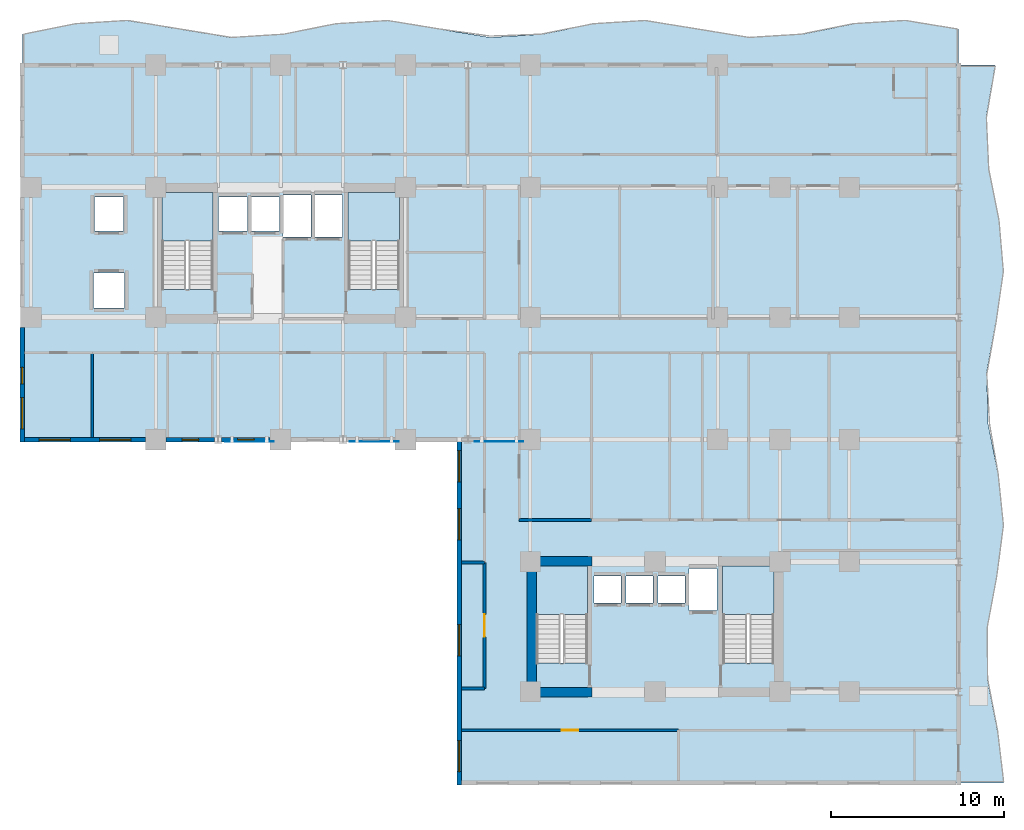
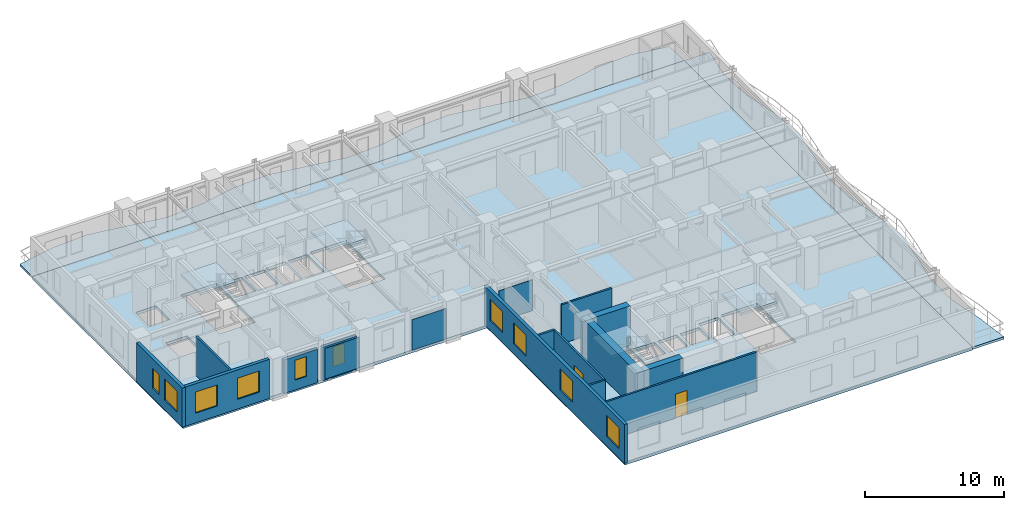
# One storey, part 2 of 11: 14 walls, 10 windows, 7 slabs, 3 plates, 2 doors, 12 openings, 4 elements without a shape of their own.
"""IFC4 building model written with IfcOpenShell, lengths in metres."""

from ifc_helpers import new_model, si_unit, direction, frame, frame_2d, origin, origin_2d, place, context, subcontext, project, spatial, polyline, rectangle, outline, extrude, source, transform, mapped, material, layer, layer_set, type_object, element, fill, aggregate, save


model = new_model("IFC4")

# Units and contexts
model_context = context("Model", 3, precision=1e-05, world=origin(), true_north=direction((0.0, 1.0)))
body_context = subcontext(model_context, "Body", "Model", "MODEL_VIEW")
ifc_project = project(units=[si_unit("LENGTHUNIT", "METRE"), si_unit("AREAUNIT", "SQUARE_METRE"), si_unit("VOLUMEUNIT", "CUBIC_METRE"), si_unit("PLANEANGLEUNIT", "RADIAN"), si_unit("MASSUNIT", "GRAM", prefix="KILO")], contexts=[model_context])

# Site, building, storey
site_placement = place(None, origin())
site = spatial("IfcSite", under=ifc_project, at=site_placement, CompositionType="ELEMENT")
building_placement = place(site_placement, origin())
building = spatial("IfcBuilding", under=site, at=building_placement, Name="Kaliganga Portal Commons", CompositionType="ELEMENT")
storey_placement = place(building_placement, frame((0.0, 0.0, 89.699951171875)))
storey = spatial("IfcBuildingStorey", under=building, at=storey_placement, Name="L22", CompositionType="ELEMENT", Elevation=89.699951171875)

# Slabs
ifc_material_1 = material(Name="Concrete C40/50", Category="concrete")
ifc_layer_1 = layer(ifc_material_1, 0.2099609375)
ifc_layer_set_1 = layer_set([ifc_layer_1], Name="Concrete C40/50")
slab_type_1 = type_object("IfcSlabType", Name="SLB-BALC-210", PredefinedType="FLOOR", material=ifc_layer_set_1)
slab_1_placement = place(storey_placement, frame((0.0, 0.0, -0.2099609375)))
element("IfcSlab", 1, at=slab_1_placement, inside=storey, type_object=slab_type_1, Name="Scalloped Tree-Planter Balcony Slab L22 balc_north", PredefinedType="FLOOR", context=body_context, shape_type="SweptSolid", body=[
    extrude(outline(polyline([(60.699951171875, 43.199951171875), (60.699951171875, 45.282470703125), (57.699951171875, 45.774658203125), (54.699951171875, 45.586669921875), (51.699951171875, 44.97802734375), (48.699951171875, 44.7900390625), (45.699951171875, 45.282470703125), (42.699951171875, 45.774658203125), (39.699951171875, 45.586669921875), (36.699951171875, 44.97802734375), (33.699951171875, 44.7900390625), (30.699951171875, 45.282470703125), (27.699951171875, 45.774658203125), (24.699951171875, 45.586669921875), (21.699951171875, 44.97802734375), (18.699951171875, 44.7900390625), (15.699951171875, 45.282470703125), (12.699951171875, 45.774658203125), (9.699951171875, 45.586669921875), (6.699951171875, 44.97802734375), (6.699951171875, 43.199951171875), (60.699951171875, 43.199951171875)])), origin(), (0.0, 0.0, 1.0), 0.2099609375),
])
slab_2_placement = place(storey_placement, frame((0.0, 0.0, -0.2099609375)))
element("IfcSlab", 2, at=slab_2_placement, inside=storey, type_object=slab_type_1, Name="Scalloped Tree-Planter Balcony Slab L22 balc_east", PredefinedType="FLOOR", context=body_context, shape_type="SweptSolid", body=[
    extrude(outline(polyline([(60.699951171875, 1.800048828125), (63.300048828125, 1.800048828125), (62.951171875, 4.757080078125), (62.374755859375, 7.71435546875), (62.347900390625, 10.67138671875), (62.906494140625, 13.628662109375), (63.2978515625, 16.585693359375), (62.994384765625, 19.54296875), (62.405029296875, 22.5), (62.32421875, 25.45703125), (62.861083984375, 28.414306640625), (63.291748046875, 31.371337890625), (63.035888671875, 34.32861328125), (62.438232421875, 37.28564453125), (62.304443359375, 40.242919921875), (62.81494140625, 43.199951171875), (60.699951171875, 43.199951171875), (60.699951171875, 1.800048828125)])), origin(), (0.0, 0.0, 1.0), 0.2099609375),
])

# Stair, slab
stair_type = type_object("IfcStairType", Name="ST-CORE-DOGLEG", PredefinedType="HALF_TURN_STAIR", material=ifc_material_1)
stair_1_placement = place(storey_placement, origin())
stair_1 = element("IfcStair", 3, at=stair_1_placement, inside=storey, type_object=stair_type, Name="L22 Protected Exit Stair ST-A1", PredefinedType="HALF_TURN_STAIR")
ifc_layer_2 = layer(ifc_material_1, 0.199951171875)
ifc_layer_set_2 = layer_set([ifc_layer_2], Name="Concrete C40/50")
slab_type_2 = type_object("IfcSlabType", Name="SLB-STAIR-LND", PredefinedType="LANDING", material=ifc_layer_set_2)
slab_3_placement = place(storey_placement, frame((0.0, 0.0, 1.650146484375)))
slab_3 = element("IfcSlab", 4, at=slab_3_placement, type_object=slab_type_2, Name="ST-A1 landing 1", PredefinedType="LANDING", context=body_context, shape_type="SweptSolid", body=[
    extrude(outline(polyline([(17.699951171875, 33.050048828125), (17.699951171875, 35.85009765625), (14.75, 35.85009765625), (14.75, 33.050048828125), (17.699951171875, 33.050048828125)])), origin(), (0.0, 0.0, 1.0), 0.199951171875),
])
aggregate(stair_1, [slab_3])

stair_2_placement = place(storey_placement, origin())
stair_2 = element("IfcStair", 5, at=stair_2_placement, inside=storey, type_object=stair_type, Name="L22 Protected Exit Stair ST-A2", PredefinedType="HALF_TURN_STAIR")
slab_4_placement = place(storey_placement, frame((0.0, 0.0, 1.650146484375)))
slab_4 = element("IfcSlab", 6, at=slab_4_placement, type_object=slab_type_2, Name="ST-A2 landing 1", PredefinedType="LANDING", context=body_context, shape_type="SweptSolid", body=[
    extrude(outline(polyline([(28.449951171875, 33.050048828125), (28.449951171875, 35.85009765625), (25.5, 35.85009765625), (25.5, 33.050048828125), (28.449951171875, 33.050048828125)])), origin(), (0.0, 0.0, 1.0), 0.199951171875),
])
aggregate(stair_2, [slab_4])

stair_3_placement = place(storey_placement, origin())
stair_3 = element("IfcStair", 7, at=stair_3_placement, inside=storey, type_object=stair_type, Name="L22 Protected Exit Stair ST-B1", PredefinedType="HALF_TURN_STAIR")
slab_5_placement = place(storey_placement, frame((0.0, 0.0, 1.650146484375)))
slab_5 = element("IfcSlab", 8, at=slab_5_placement, type_object=slab_type_2, Name="ST-B1 landing 1", PredefinedType="LANDING", context=body_context, shape_type="SweptSolid", body=[
    extrude(outline(polyline([(39.300048828125, 11.5), (39.300048828125, 14.300048828125), (36.35009765625, 14.300048828125), (36.35009765625, 11.5), (39.300048828125, 11.5)])), origin(), (0.0, 0.0, 1.0), 0.199951171875),
])
aggregate(stair_3, [slab_5])

stair_4_placement = place(storey_placement, origin())
stair_4 = element("IfcStair", 9, at=stair_4_placement, inside=storey, type_object=stair_type, Name="L22 Protected Exit Stair ST-B2", PredefinedType="HALF_TURN_STAIR")
slab_6_placement = place(storey_placement, frame((0.0, 0.0, 1.650146484375)))
slab_6 = element("IfcSlab", 10, at=slab_6_placement, type_object=slab_type_2, Name="ST-B2 landing 1", PredefinedType="LANDING", context=body_context, shape_type="SweptSolid", body=[
    extrude(outline(polyline([(50.050048828125, 11.5), (50.050048828125, 14.300048828125), (47.10009765625, 14.300048828125), (47.10009765625, 11.5), (50.050048828125, 11.5)])), origin(), (0.0, 0.0, 1.0), 0.199951171875),
])
aggregate(stair_4, [slab_6])

# Slab
ifc_layer_3 = layer(ifc_material_1, 0.25)
ifc_layer_set_3 = layer_set([ifc_layer_3], Name="Concrete C40/50")
slab_type_3 = type_object("IfcSlabType", Name="SLB-TWR-250", PredefinedType="FLOOR", material=ifc_layer_set_3)
slab_7_placement = place(storey_placement, frame((0.0, 0.0, -0.25)))
element("IfcSlab", 11, at=slab_7_placement, inside=storey, type_object=slab_type_3, Name="Structural Floor Slab L22", PredefinedType="FLOOR", context=body_context, shape_type="SweptSolid", body=[
    extrude(outline(polyline([(31.89990234375, 1.800048828125), (60.699951171875, 1.800048828125), (60.699951171875, 43.199951171875), (6.699951171875, 43.199951171875), (6.699951171875, 21.60009765625), (31.89990234375, 21.60009765625), (31.89990234375, 1.800048828125)]), holes=[polyline([(14.75, 30.25390625), (14.75, 35.85009765625), (17.699951171875, 35.85009765625), (17.699951171875, 30.25390625), (14.75, 30.25390625)]), polyline([(25.5, 30.25390625), (25.5, 35.85009765625), (28.449951171875, 35.85009765625), (28.449951171875, 30.25390625), (25.5, 30.25390625)]), polyline([(36.35009765625, 8.7041015625), (36.35009765625, 14.300048828125), (39.300048828125, 14.300048828125), (39.300048828125, 8.7041015625), (36.35009765625, 8.7041015625)]), polyline([(47.10009765625, 8.7041015625), (47.10009765625, 14.300048828125), (50.050048828125, 14.300048828125), (50.050048828125, 8.7041015625), (47.10009765625, 8.7041015625)]), polyline([(18.014892578125, 33.614990234375), (18.014892578125, 35.5849609375), (19.68505859375, 35.5849609375), (19.68505859375, 33.614990234375), (18.014892578125, 33.614990234375)]), polyline([(19.864990234375, 33.614990234375), (19.864990234375, 35.5849609375), (21.534912109375, 35.5849609375), (21.534912109375, 33.614990234375), (19.864990234375, 33.614990234375)]), polyline([(10.81494140625, 29.18994140625), (10.81494140625, 31.2099609375), (12.5849609375, 31.2099609375), (12.5849609375, 29.18994140625), (10.81494140625, 29.18994140625)]), polyline([(10.864990234375, 33.614990234375), (10.864990234375, 35.5849609375), (12.534912109375, 35.5849609375), (12.534912109375, 33.614990234375), (10.864990234375, 33.614990234375)]), polyline([(21.739990234375, 33.2900390625), (21.739990234375, 35.7099609375), (23.360107421875, 35.7099609375), (23.360107421875, 33.2900390625), (21.739990234375, 33.2900390625)]), polyline([(23.5400390625, 33.2900390625), (23.5400390625, 35.7099609375), (25.159912109375, 35.7099609375), (25.159912109375, 33.2900390625), (23.5400390625, 33.2900390625)]), polyline([(39.6650390625, 12.1650390625), (39.6650390625, 13.735107421875), (41.235107421875, 13.735107421875), (41.235107421875, 12.1650390625), (39.6650390625, 12.1650390625)]), polyline([(41.514892578125, 12.1650390625), (41.514892578125, 13.735107421875), (43.0849609375, 13.735107421875), (43.0849609375, 12.1650390625), (41.514892578125, 12.1650390625)]), polyline([(43.364990234375, 12.1650390625), (43.364990234375, 13.735107421875), (44.93505859375, 13.735107421875), (44.93505859375, 12.1650390625), (43.364990234375, 12.1650390625)]), polyline([(45.139892578125, 11.739990234375), (45.139892578125, 14.159912109375), (46.760009765625, 14.159912109375), (46.760009765625, 11.739990234375), (45.139892578125, 11.739990234375)])]), origin(), (0.0, 0.0, 1.0), 0.25),
])

# Plates
ifc_material_2 = material(Name="Perforated Terracotta Monsoon Baguette Screen", Category="masonry")
ifc_layer_4 = layer(ifc_material_2, 0.034912109375)
ifc_layer_set_4 = layer_set([ifc_layer_4], Name="Perforated Terracotta Monsoon Baguette Screen")
plate_type = type_object("IfcPlateType", Name="PLT-CER-35", PredefinedType="USERDEFINED", material=ifc_layer_set_4)
shared_shape = source(origin(), body_context, "Body", "SweptSolid", [
    extrude(rectangle(XDim=2.800048828125, YDim=0.034912109375, at=origin_2d()), origin(), (0.0, 0.0, 1.0), 2.68994140625),
])
for number, where, z_axis, x_axis, name in (
    (12, (19.800048828125, 21.47998046875, 0.080078125), (0.0, 0.0, 1.0), (1.0, 0.0, 0.0), "Perforated Solar Screen L22-S1"),
    (13, (27.0, 21.47998046875, 0.080078125), (0.0, 0.0, 1.0), (1.0, 0.0, 0.0), "Perforated Solar Screen L22-S2"),
    (14, (34.199951171875, 21.47998046875, 0.080078125), (0.0, 0.0, 1.0), (1.0, 0.0, 0.0), "Perforated Solar Screen L22-S3"),
):
    element("IfcPlate", number, at=place(storey_placement, frame(where, z_axis=z_axis, x_axis=x_axis)), inside=storey, type_object=plate_type, Name=name, ObjectType="SOLAR SCREEN", PredefinedType="USERDEFINED", context=body_context, shape_type="MappedRepresentation", body=[
        mapped(shared_shape, transform((0.0, 0.0, 0.0), x_axis=(1.0, 0.0, 0.0), y_axis=(0.0, 1.0, 0.0), z_axis=(0.0, 0.0, 1.0), scale=1.0)),
    ])

# Walls
ifc_material_3 = material(Name="Concrete C60/75", Category="concrete")
ifc_layer_5 = layer(ifc_material_3, 0.550048828125)
ifc_layer_set_5 = layer_set([ifc_layer_5], Name="Concrete C60/75")
wall_type_1 = type_object("IfcWallType", Name="WL-CORE-550", PredefinedType="SHEAR", material=ifc_layer_set_5)
wall_1_placement = place(storey_placement, frame((36.074951171875, 6.75, 0.0), z_axis=(0.0, 0.0, 1.0), x_axis=(0.0, 1.0, 0.0)))
element("IfcWall", 15, at=wall_1_placement, inside=storey, type_object=wall_type_1, Name="Core B West Shear Wall L22", PredefinedType="SHEAR", context=body_context, shape_type="SweptSolid", body=[
    extrude(rectangle(XDim=8.10009765625, YDim=0.550048828125, at=frame_2d((4.050048828125, 0.0))), origin(), (0.0, 0.0, 1.0), 3.449951171875),
])
for number, where, z_axis, x_axis, name in (
    (16, (36.35009765625, 7.02490234375, 0.0), (0.0, 0.0, 1.0), (1.0, 0.0, 0.0), "Core B S-West Shear Wall L22"),
    (17, (36.35009765625, 14.574951171875, 0.0), (0.0, 0.0, 1.0), (1.0, 0.0, 0.0), "Core B N-West Shear Wall L22"),
):
    element("IfcWall", number, at=place(storey_placement, frame(where, z_axis=z_axis, x_axis=x_axis)), inside=storey, type_object=wall_type_1, Name=name, PredefinedType="SHEAR", context=body_context, shape_type="SweptSolid", body=[
        extrude(rectangle(XDim=3.199951171875, YDim=0.550048828125, at=frame_2d((1.60009765625, 0.0))), origin(), (0.0, 0.0, 1.0), 3.449951171875),
    ])

# Wall, openings, windows
ifc_material_4 = material(Name="Insulated Aluminium-Clad Spandrel Assembly", Category="aluminium")
ifc_layer_6 = layer(ifc_material_4, 0.260009765625)
ifc_layer_set_6 = layer_set([ifc_layer_6], Name="Insulated Aluminium-Clad Spandrel Assembly")
wall_type_2 = type_object("IfcWallType", Name="WL-EXT-SPAND-260", PredefinedType="STANDARD", material=ifc_layer_set_6)
wall_2_placement = place(storey_placement, frame((6.699951171875, 21.469970703125, 0.0), z_axis=(0.0, 0.0, 1.0), x_axis=(0.0, 1.0, 0.0)))
wall_2 = element("IfcWall", 18, at=wall_2_placement, inside=storey, type_object=wall_type_2, Name="Exterior Envelope Wall L22 P1-E03-S3", PredefinedType="STANDARD", context=body_context, shape_type="SweptSolid", body=[
    extrude(rectangle(XDim=6.5791015625, YDim=0.260009765625, at=frame_2d((3.28955078125, 0.0))), origin(), (0.0, 0.0, 1.0), 3.429931640625),
])
opening_1_placement = place(wall_2_placement, frame((0.744873046875, 0.0, 0.85009765625)))
opening_1 = element("IfcOpeningElement", 19, at=opening_1_placement, cuts=wall_2, Name="Opening W-01", PredefinedType="OPENING", context=body_context, shape_type="SweptSolid", body=[
    extrude(rectangle(XDim=1.800048828125, YDim=1.85009765625, at=frame_2d((0.89990234375, 0.925048828125))), frame((0.0, 0.14013671875, 0.0), z_axis=(0.0, -1.0, 0.0), x_axis=(1.0, 0.0, 0.0)), (0.0, 0.0, 1.0), 0.280029296875),
])
opening_2_placement = place(wall_2_placement, frame((3.3408203125, 0.0, 0.85009765625)))
opening_2 = element("IfcOpeningElement", 20, at=opening_2_placement, cuts=wall_2, Name="Opening W-04", PredefinedType="OPENING", context=body_context, shape_type="SweptSolid", body=[
    extrude(rectangle(XDim=0.949951171875, YDim=1.75, at=frame_2d((0.47509765625, 0.875))), frame((0.0, 0.14013671875, 0.0), z_axis=(0.0, -1.0, 0.0), x_axis=(1.0, 0.0, 0.0)), (0.0, 0.0, 1.0), 0.280029296875),
])
ifc_material_5 = material(Name="Thermally Broken Aluminium and Low-E Double Glazing", Category="aluminium")
window_type_1 = type_object("IfcWindowType", Name="WIN-NARROW-950", PartitioningType="SINGLE_PANEL", PredefinedType="WINDOW", material=ifc_material_5)
window_1_placement = place(opening_2_placement, origin())
window_1 = element("IfcWindow", 21, at=window_1_placement, inside=storey, type_object=window_type_1, Name="Facade Window L22-P1E03S3-N6", OverallHeight=1.75, OverallWidth=0.949951171875, PartitioningType="SINGLE_PANEL", PredefinedType="WINDOW", context=body_context, shape_type="SweptSolid", body=[
    extrude(rectangle(XDim=0.949951171875, YDim=1.75, at=frame_2d((0.47509765625, 0.875))), frame((0.0, 0.030029296875, 0.0), z_axis=(0.0, -1.0, 0.0), x_axis=(1.0, 0.0, 0.0)), (0.0, 0.0, 1.0), 0.06005859375),
])
fill(opening_2, window_1)
window_type_2 = type_object("IfcWindowType", Name="WIN-STD-1800", PartitioningType="DOUBLE_PANEL_VERTICAL", PredefinedType="WINDOW", material=ifc_material_5)
window_2_placement = place(opening_1_placement, origin())
window_2 = element("IfcWindow", 22, at=window_2_placement, inside=storey, type_object=window_type_2, Name="Facade Window L22-P1E03S3-00", OverallHeight=1.85009765625, OverallWidth=1.800048828125, PartitioningType="SINGLE_PANEL", PredefinedType="WINDOW", context=body_context, shape_type="SweptSolid", body=[
    extrude(rectangle(XDim=1.800048828125, YDim=1.85009765625, at=frame_2d((0.89990234375, 0.925048828125))), frame((0.0, 0.030029296875, 0.0), z_axis=(0.0, -1.0, 0.0), x_axis=(1.0, 0.0, 0.0)), (0.0, 0.0, 1.0), 0.06005859375),
])
fill(opening_1, window_2)

wall_3_placement = place(storey_placement, frame((13.799072265625, 21.60009765625, 0.0), z_axis=(0.0, 0.0, 1.0), x_axis=(-1.0, 0.0, 0.0)))
wall_3 = element("IfcWall", 23, at=wall_3_placement, inside=storey, type_object=wall_type_2, Name="Exterior Envelope Wall L22 P1-E04-S1", PredefinedType="STANDARD", context=body_context, shape_type="SweptSolid", body=[
    extrude(rectangle(XDim=6.964111328125, YDim=0.260009765625, at=frame_2d((3.48193359375, 0.0))), origin(), (0.0, 0.0, 1.0), 3.429931640625),
])
opening_3_placement = place(wall_3_placement, frame((0.841064453125, 0.0, 0.85009765625)))
opening_3 = element("IfcOpeningElement", 24, at=opening_3_placement, cuts=wall_3, Name="Opening W-01", PredefinedType="OPENING", context=body_context, shape_type="SweptSolid", body=[
    extrude(rectangle(XDim=1.800048828125, YDim=1.85009765625, at=frame_2d((0.89990234375, 0.925048828125))), frame((0.0, 0.14013671875, 0.0), z_axis=(0.0, -1.0, 0.0), x_axis=(1.0, 0.0, 0.0)), (0.0, 0.0, 1.0), 0.280029296875),
])
opening_4_placement = place(wall_3_placement, frame((4.322998046875, 0.0, 0.85009765625)))
opening_4 = element("IfcOpeningElement", 25, at=opening_4_placement, cuts=wall_3, Name="Opening W-01", PredefinedType="OPENING", context=body_context, shape_type="SweptSolid", body=[
    extrude(rectangle(XDim=1.800048828125, YDim=1.85009765625, at=frame_2d((0.89990234375, 0.925048828125))), frame((0.0, 0.14013671875, 0.0), z_axis=(0.0, -1.0, 0.0), x_axis=(1.0, 0.0, 0.0)), (0.0, 0.0, 1.0), 0.280029296875),
])
window_3_placement = place(opening_3_placement, origin())
window_3 = element("IfcWindow", 26, at=window_3_placement, inside=storey, type_object=window_type_2, Name="Facade Window L22-P1E04S1-00", OverallHeight=1.85009765625, OverallWidth=1.800048828125, PartitioningType="SINGLE_PANEL", PredefinedType="WINDOW", context=body_context, shape_type="SweptSolid", body=[
    extrude(rectangle(XDim=1.800048828125, YDim=1.85009765625, at=frame_2d((0.89990234375, 0.925048828125))), frame((0.0, 0.030029296875, 0.0), z_axis=(0.0, -1.0, 0.0), x_axis=(1.0, 0.0, 0.0)), (0.0, 0.0, 1.0), 0.06005859375),
])
fill(opening_3, window_3)
window_4_placement = place(opening_4_placement, origin())
window_4 = element("IfcWindow", 27, at=window_4_placement, inside=storey, type_object=window_type_2, Name="Facade Window L22-P1E04S1-01", OverallHeight=1.85009765625, OverallWidth=1.800048828125, PartitioningType="SINGLE_PANEL", PredefinedType="WINDOW", context=body_context, shape_type="SweptSolid", body=[
    extrude(rectangle(XDim=1.800048828125, YDim=1.85009765625, at=frame_2d((0.89990234375, 0.925048828125))), frame((0.0, 0.030029296875, 0.0), z_axis=(0.0, -1.0, 0.0), x_axis=(1.0, 0.0, 0.0)), (0.0, 0.0, 1.0), 0.06005859375),
])
fill(opening_4, window_4)

# Wall, opening, window
wall_4_placement = place(storey_placement, frame((17.79443359375, 21.60009765625, 0.0), z_axis=(0.0, 0.0, 1.0), x_axis=(-1.0, 0.0, 0.0)))
wall_4 = element("IfcWall", 28, at=wall_4_placement, inside=storey, type_object=wall_type_2, Name="Exterior Envelope Wall L22 P1-E04-S2", PredefinedType="STANDARD", context=body_context, shape_type="SweptSolid", body=[
    extrude(rectangle(XDim=2.79345703125, YDim=0.260009765625, at=frame_2d((1.396728515625, 0.0))), origin(), (0.0, 0.0, 1.0), 2.929931640625),
])
opening_5_placement = place(wall_4_placement, frame((0.921630859375, 0.0, 0.85009765625)))
opening_5 = element("IfcOpeningElement", 29, at=opening_5_placement, cuts=wall_4, Name="Opening W-04", PredefinedType="OPENING", context=body_context, shape_type="SweptSolid", body=[
    extrude(rectangle(XDim=0.949951171875, YDim=1.75, at=frame_2d((0.47509765625, 0.875))), frame((0.0, 0.14013671875, 0.0), z_axis=(0.0, -1.0, 0.0), x_axis=(1.0, 0.0, 0.0)), (0.0, 0.0, 1.0), 0.280029296875),
])
window_5_placement = place(opening_5_placement, origin())
window_5 = element("IfcWindow", 30, at=window_5_placement, inside=storey, type_object=window_type_1, Name="Facade Window L22-P1E04S2-00", OverallHeight=1.75, OverallWidth=0.949951171875, PartitioningType="SINGLE_PANEL", PredefinedType="WINDOW", context=body_context, shape_type="SweptSolid", body=[
    extrude(rectangle(XDim=0.949951171875, YDim=1.75, at=frame_2d((0.47509765625, 0.875))), frame((0.0, 0.030029296875, 0.0), z_axis=(0.0, -1.0, 0.0), x_axis=(1.0, 0.0, 0.0)), (0.0, 0.0, 1.0), 0.06005859375),
])
fill(opening_5, window_5)

wall_5_placement = place(storey_placement, frame((20.9990234375, 21.60009765625, 0.0), z_axis=(0.0, 0.0, 1.0), x_axis=(-1.0, 0.0, 0.0)))
wall_5 = element("IfcWall", 31, at=wall_5_placement, inside=storey, type_object=wall_type_2, Name="Exterior Envelope Wall L22 P1-E04-S3", PredefinedType="STANDARD", context=body_context, shape_type="SweptSolid", body=[
    extrude(rectangle(XDim=2.79345703125, YDim=0.260009765625, at=frame_2d((1.396728515625, 0.0))), origin(), (0.0, 0.0, 1.0), 2.929931640625),
])
opening_6_placement = place(wall_5_placement, frame((0.921630859375, 0.0, 0.85009765625)))
opening_6 = element("IfcOpeningElement", 32, at=opening_6_placement, cuts=wall_5, Name="Opening W-04", PredefinedType="OPENING", context=body_context, shape_type="SweptSolid", body=[
    extrude(rectangle(XDim=0.949951171875, YDim=1.75, at=frame_2d((0.47509765625, 0.875))), frame((0.0, 0.14013671875, 0.0), z_axis=(0.0, -1.0, 0.0), x_axis=(1.0, 0.0, 0.0)), (0.0, 0.0, 1.0), 0.280029296875),
])
window_6_placement = place(opening_6_placement, origin())
window_6 = element("IfcWindow", 33, at=window_6_placement, inside=storey, type_object=window_type_1, Name="Facade Window L22-P1E04S3-00", OverallHeight=1.75, OverallWidth=0.949951171875, PartitioningType="SINGLE_PANEL", PredefinedType="WINDOW", context=body_context, shape_type="SweptSolid", body=[
    extrude(rectangle(XDim=0.949951171875, YDim=1.75, at=frame_2d((0.47509765625, 0.875))), frame((0.0, 0.030029296875, 0.0), z_axis=(0.0, -1.0, 0.0), x_axis=(1.0, 0.0, 0.0)), (0.0, 0.0, 1.0), 0.06005859375),
])
fill(opening_6, window_6)

# Wall, openings, windows
wall_6_placement = place(storey_placement, frame((31.89990234375, 1.669921875, 0.0), z_axis=(0.0, 0.0, 1.0), x_axis=(0.0, 1.0, 0.0)))
wall_6 = element("IfcWall", 34, at=wall_6_placement, inside=storey, type_object=wall_type_2, Name="Exterior Envelope Wall L22 P1-E05-S1", PredefinedType="STANDARD", context=body_context, shape_type="SweptSolid", body=[
    extrude(rectangle(XDim=20.06005859375, YDim=0.260009765625, at=frame_2d((10.030029296875, 0.0))), origin(), (0.0, 0.0, 1.0), 3.429931640625),
])
opening_7_placement = place(wall_6_placement, frame((0.771728515625, 0.0, 0.85009765625)))
opening_7 = element("IfcOpeningElement", 35, at=opening_7_placement, cuts=wall_6, Name="Opening W-01", PredefinedType="OPENING", context=body_context, shape_type="SweptSolid", body=[
    extrude(rectangle(XDim=1.800048828125, YDim=1.85009765625, at=frame_2d((0.89990234375, 0.925048828125))), frame((0.0, 0.14013671875, 0.0), z_axis=(0.0, -1.0, 0.0), x_axis=(1.0, 0.0, 0.0)), (0.0, 0.0, 1.0), 0.280029296875),
])
opening_8_placement = place(wall_6_placement, frame((7.458251953125, 0.0, 0.85009765625)))
opening_8 = element("IfcOpeningElement", 36, at=opening_8_placement, cuts=wall_6, Name="Opening W-01", PredefinedType="OPENING", context=body_context, shape_type="SweptSolid", body=[
    extrude(rectangle(XDim=1.800048828125, YDim=1.85009765625, at=frame_2d((0.89990234375, 0.925048828125))), frame((0.0, 0.14013671875, 0.0), z_axis=(0.0, -1.0, 0.0), x_axis=(1.0, 0.0, 0.0)), (0.0, 0.0, 1.0), 0.280029296875),
])
opening_9_placement = place(wall_6_placement, frame((14.14501953125, 0.0, 0.85009765625)))
opening_9 = element("IfcOpeningElement", 37, at=opening_9_placement, cuts=wall_6, Name="Opening W-01", PredefinedType="OPENING", context=body_context, shape_type="SweptSolid", body=[
    extrude(rectangle(XDim=1.800048828125, YDim=1.85009765625, at=frame_2d((0.89990234375, 0.925048828125))), frame((0.0, 0.14013671875, 0.0), z_axis=(0.0, -1.0, 0.0), x_axis=(1.0, 0.0, 0.0)), (0.0, 0.0, 1.0), 0.280029296875),
])
opening_10_placement = place(wall_6_placement, frame((17.48828125, 0.0, 0.85009765625)))
opening_10 = element("IfcOpeningElement", 38, at=opening_10_placement, cuts=wall_6, Name="Opening W-01", PredefinedType="OPENING", context=body_context, shape_type="SweptSolid", body=[
    extrude(rectangle(XDim=1.800048828125, YDim=1.85009765625, at=frame_2d((0.89990234375, 0.925048828125))), frame((0.0, 0.14013671875, 0.0), z_axis=(0.0, -1.0, 0.0), x_axis=(1.0, 0.0, 0.0)), (0.0, 0.0, 1.0), 0.280029296875),
])
window_7_placement = place(opening_7_placement, origin())
window_7 = element("IfcWindow", 39, at=window_7_placement, inside=storey, type_object=window_type_2, Name="Facade Window L22-P1E05S1-00", OverallHeight=1.85009765625, OverallWidth=1.800048828125, PartitioningType="SINGLE_PANEL", PredefinedType="WINDOW", context=body_context, shape_type="SweptSolid", body=[
    extrude(rectangle(XDim=1.800048828125, YDim=1.85009765625, at=frame_2d((0.89990234375, 0.925048828125))), frame((0.0, 0.030029296875, 0.0), z_axis=(0.0, -1.0, 0.0), x_axis=(1.0, 0.0, 0.0)), (0.0, 0.0, 1.0), 0.06005859375),
])
fill(opening_7, window_7)
window_8_placement = place(opening_8_placement, origin())
window_8 = element("IfcWindow", 40, at=window_8_placement, inside=storey, type_object=window_type_2, Name="Facade Window L22-P1E05S1-02", OverallHeight=1.85009765625, OverallWidth=1.800048828125, PartitioningType="SINGLE_PANEL", PredefinedType="WINDOW", context=body_context, shape_type="SweptSolid", body=[
    extrude(rectangle(XDim=1.800048828125, YDim=1.85009765625, at=frame_2d((0.89990234375, 0.925048828125))), frame((0.0, 0.030029296875, 0.0), z_axis=(0.0, -1.0, 0.0), x_axis=(1.0, 0.0, 0.0)), (0.0, 0.0, 1.0), 0.06005859375),
])
fill(opening_8, window_8)
window_9_placement = place(opening_9_placement, origin())
window_9 = element("IfcWindow", 41, at=window_9_placement, inside=storey, type_object=window_type_2, Name="Facade Window L22-P1E05S1-04", OverallHeight=1.85009765625, OverallWidth=1.800048828125, PartitioningType="SINGLE_PANEL", PredefinedType="WINDOW", context=body_context, shape_type="SweptSolid", body=[
    extrude(rectangle(XDim=1.800048828125, YDim=1.85009765625, at=frame_2d((0.89990234375, 0.925048828125))), frame((0.0, 0.030029296875, 0.0), z_axis=(0.0, -1.0, 0.0), x_axis=(1.0, 0.0, 0.0)), (0.0, 0.0, 1.0), 0.06005859375),
])
fill(opening_9, window_9)
window_10_placement = place(opening_10_placement, origin())
window_10 = element("IfcWindow", 42, at=window_10_placement, inside=storey, type_object=window_type_2, Name="Facade Window L22-P1E05S1-05", OverallHeight=1.85009765625, OverallWidth=1.800048828125, PartitioningType="SINGLE_PANEL", PredefinedType="WINDOW", context=body_context, shape_type="SweptSolid", body=[
    extrude(rectangle(XDim=1.800048828125, YDim=1.85009765625, at=frame_2d((0.89990234375, 0.925048828125))), frame((0.0, 0.030029296875, 0.0), z_axis=(0.0, -1.0, 0.0), x_axis=(1.0, 0.0, 0.0)), (0.0, 0.0, 1.0), 0.06005859375),
])
fill(opening_10, window_10)

# Wall, opening, door
ifc_material_6 = material(Name="Fire-Rated Gypsum Board on Steel Stud", Category="steel")
ifc_layer_7 = layer(ifc_material_6, 0.14990234375)
ifc_layer_set_7 = layer_set([ifc_layer_7], Name="Fire-Rated Gypsum Board on Steel Stud")
wall_type_3 = type_object("IfcWallType", Name="WL-PART-CORR-150", PredefinedType="PARTITIONING", material=ifc_layer_set_7)
wall_7_placement = place(storey_placement, frame((32.031982421875, 4.840087890625, 0.0), z_axis=(0.0, 0.0, 1.0), x_axis=(1.0, 0.0, 0.0)))
wall_7 = element("IfcWall", 43, at=wall_7_placement, inside=storey, type_object=wall_type_3, Name="Interior Partition L22-006", PredefinedType="PARTITIONING", context=body_context, shape_type="SweptSolid", body=[
    extrude(rectangle(XDim=12.508056640625, YDim=0.14990234375, at=frame_2d((6.25390625, 0.0))), origin(), (0.0, 0.0, 1.0), 3.429931640625),
])
opening_11_placement = place(wall_7_placement, frame((5.779052734375, 0.0, 0.0)))
opening_11 = element("IfcOpeningElement", 44, at=opening_11_placement, cuts=wall_7, Name="Opening UD-01", PredefinedType="OPENING", context=body_context, shape_type="SweptSolid", body=[
    extrude(rectangle(XDim=0.949951171875, YDim=2.10009765625, at=frame_2d((0.47509765625, 1.050048828125))), frame((0.0, 0.0849609375, 0.0), z_axis=(0.0, -1.0, 0.0), x_axis=(1.0, 0.0, 0.0)), (0.0, 0.0, 1.0), 0.169921875),
])
ifc_material_7 = material(Name="Solid-Core Timber Acoustic Fire Door", Category="wood")
door_type_1 = type_object("IfcDoorType", Name="DR-UNIT-950", OperationType="NOTDEFINED", PredefinedType="DOOR", material=ifc_material_7)
door_1_placement = place(opening_11_placement, origin())
door_1 = element("IfcDoor", 45, at=door_1_placement, inside=storey, type_object=door_type_1, Name="Interior Door L22-BS01", OperationType="SINGLE_SWING_RIGHT", OverallHeight=2.10009765625, OverallWidth=0.949951171875, PredefinedType="DOOR", context=body_context, shape_type="SweptSolid", body=[
    extrude(rectangle(XDim=0.949951171875, YDim=2.10009765625, at=frame_2d((0.47509765625, 1.050048828125))), frame((0.0, 0.02490234375, 0.0), z_axis=(0.0, -1.0, 0.0), x_axis=(1.0, 0.0, 0.0)), (0.0, 0.0, 1.0), 0.050048828125),
])
fill(opening_11, door_1)

wall_8_placement = place(storey_placement, frame((33.360107421875, 7.239990234375, 0.0), z_axis=(0.0, 0.0, 1.0), x_axis=(0.0, 1.0, 0.0)))
wall_8 = element("IfcWall", 46, at=wall_8_placement, inside=storey, type_object=wall_type_3, Name="Interior Partition L22-018", PredefinedType="PARTITIONING", context=body_context, shape_type="SweptSolid", body=[
    extrude(rectangle(XDim=7.260009765625, YDim=0.14990234375, at=frame_2d((3.6298828125, 0.0))), origin(), (0.0, 0.0, 1.0), 3.429931640625),
])
opening_12_placement = place(wall_8_placement, frame((2.97998046875, 0.0, 0.0)))
opening_12 = element("IfcOpeningElement", 47, at=opening_12_placement, cuts=wall_8, Name="Opening RD-03", PredefinedType="OPENING", context=body_context, shape_type="SweptSolid", body=[
    extrude(rectangle(XDim=1.300048828125, YDim=2.1201171875, at=frame_2d((0.64990234375, 1.06005859375))), frame((0.0, 0.0849609375, 0.0), z_axis=(0.0, -1.0, 0.0), x_axis=(1.0, 0.0, 0.0)), (0.0, 0.0, 1.0), 0.169921875),
])
ifc_material_8 = material(Name="Glazed Timber Seminar Vision Door", Category="wood")
door_type_2 = type_object("IfcDoorType", Name="DR-STUDY-1300", OperationType="DOUBLE_DOOR_SINGLE_SWING", PredefinedType="DOOR", material=ifc_material_8)
door_2_placement = place(opening_12_placement, origin())
door_2 = element("IfcDoor", 48, at=door_2_placement, inside=storey, type_object=door_type_2, Name="Interior Door L22-KW01", OperationType="DOUBLE_DOOR_SINGLE_SWING", OverallHeight=2.1201171875, OverallWidth=1.300048828125, PredefinedType="DOOR", context=body_context, shape_type="SweptSolid", body=[
    extrude(rectangle(XDim=1.300048828125, YDim=2.1201171875, at=frame_2d((0.64990234375, 1.06005859375))), frame((0.0, 0.02490234375, 0.0), z_axis=(0.0, -1.0, 0.0), x_axis=(1.0, 0.0, 0.0)), (0.0, 0.0, 1.0), 0.050048828125),
])
fill(opening_12, door_2)

# Walls
wall_9_placement = place(storey_placement, frame((35.360107421875, 16.9599609375, 0.0), z_axis=(0.0, 0.0, 1.0), x_axis=(1.0, 0.0, 0.0)))
element("IfcWall", 49, at=wall_9_placement, inside=storey, type_object=wall_type_3, Name="Interior Partition L22-033", PredefinedType="PARTITIONING", context=body_context, shape_type="SweptSolid", body=[
    extrude(rectangle(XDim=4.179931640625, YDim=0.14990234375, at=frame_2d((2.08984375, 0.0))), origin(), (0.0, 0.0, 1.0), 3.429931640625),
])
wall_10_placement = place(storey_placement, frame((32.031982421875, 7.239990234375, 0.0), z_axis=(0.0, 0.0, 1.0), x_axis=(1.0, 0.0, 0.0)))
element("IfcWall", 50, at=wall_10_placement, inside=storey, type_object=wall_type_3, Name="Interior Partition L22-046", PredefinedType="PARTITIONING", context=body_context, shape_type="SweptSolid", body=[
    extrude(rectangle(XDim=1.328125, YDim=0.14990234375, at=frame_2d((0.6640625, 0.0))), origin(), (0.0, 0.0, 1.0), 3.429931640625),
])
ifc_material_9 = material(Name="Twin-Stud Acoustic Gypsum Partition", Category="gypsum")
ifc_layer_8 = layer(ifc_material_9, 0.1650390625)
ifc_layer_set_8 = layer_set([ifc_layer_8], Name="Twin-Stud Acoustic Gypsum Partition")
wall_type_4 = type_object("IfcWallType", Name="WL-PART-UNIT-165", PredefinedType="PARTITIONING", material=ifc_layer_set_8)
wall_11_placement = place(storey_placement, frame((10.739990234375, 21.73193359375, 0.0), z_axis=(0.0, 0.0, 1.0), x_axis=(0.0, 1.0, 0.0)))
element("IfcWall", 51, at=wall_11_placement, inside=storey, type_object=wall_type_4, Name="Interior Partition L22-065", PredefinedType="PARTITIONING", context=body_context, shape_type="SweptSolid", body=[
    extrude(rectangle(XDim=4.8681640625, YDim=0.1650390625, at=frame_2d((2.43408203125, 0.0))), origin(), (0.0, 0.0, 1.0), 3.429931640625),
])
wall_12_placement = place(storey_placement, frame((32.031982421875, 14.5, 0.0), z_axis=(0.0, 0.0, 1.0), x_axis=(1.0, 0.0, 0.0)))
element("IfcWall", 52, at=wall_12_placement, inside=storey, type_object=wall_type_4, Name="Interior Partition L22-082", PredefinedType="PARTITIONING", context=body_context, shape_type="SweptSolid", body=[
    extrude(rectangle(XDim=1.328125, YDim=0.1650390625, at=frame_2d((0.6640625, 0.0))), origin(), (0.0, 0.0, 1.0), 3.429931640625),
])

save(model, "model.ifc")
